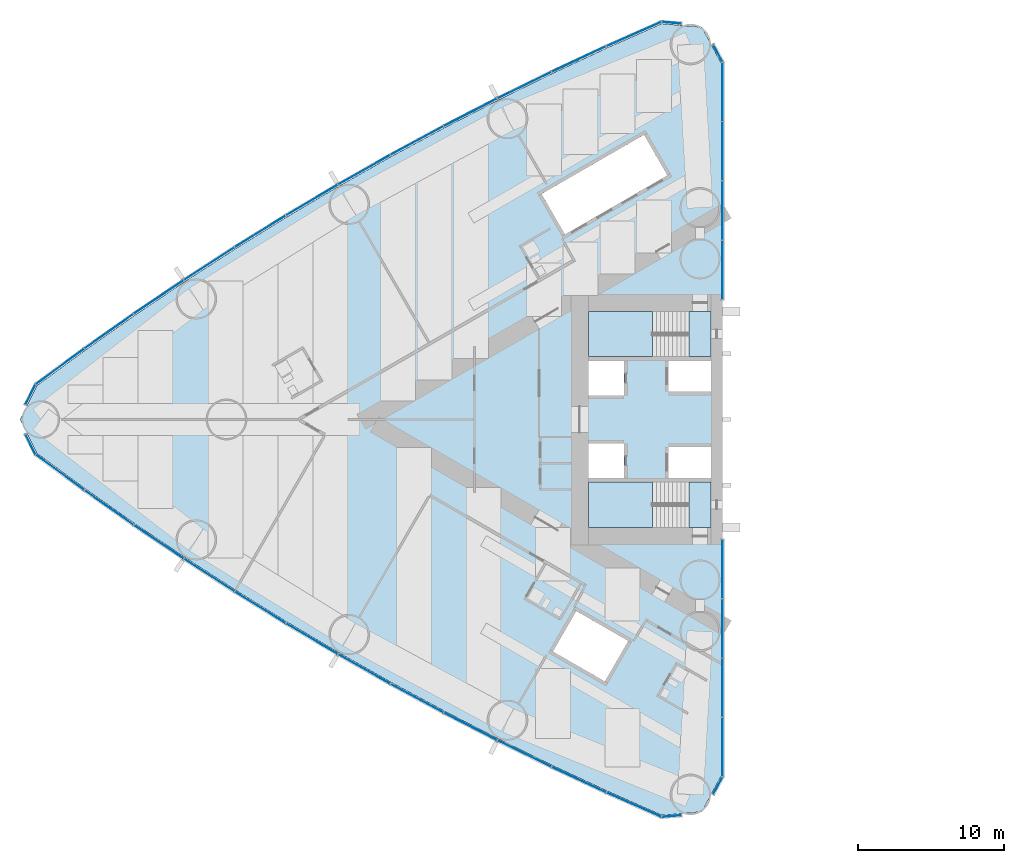
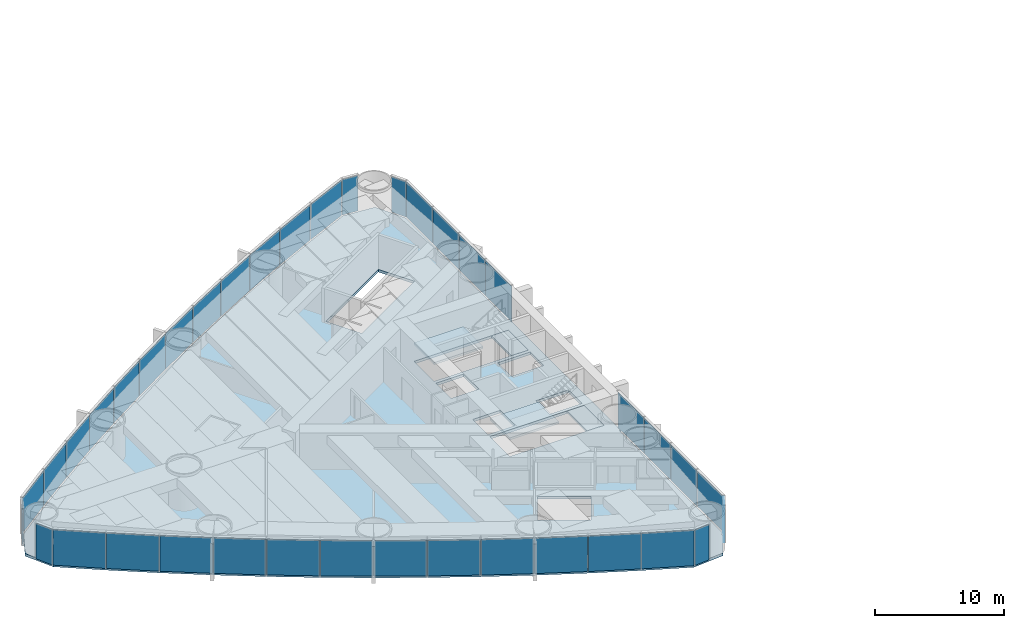
# One storey, part 9 of 18: 38 plates, 5 slabs, 6 elements without a shape of their own.
"""IFC4 building model written with IfcOpenShell, lengths in metres."""

import ifcopenshell
import ifcopenshell.guid

model = None  # the IFC model being written
_history = None  # IfcOwnerHistory: only IFC2X3 demands one
_inside = {}  # id of a spatial element -> (the spatial element, [elements in it])
_under = {}  # id of a project, library or spatial element -> (it, [spatial elements below it])
_declared = {}  # id of a project -> (the project, [libraries it declares])
_typed = {}  # id of a type object -> (the type object, [elements of that type])
_made_of = {}  # id of a material, layer set ... -> (it, [elements and type objects made of it])


def new_model(schema):
    """Start an empty IFC model of exactly this schema.

    Asked for "IFC4X3", IfcOpenShell would pick the latest addendum, in which some entities
    have other attributes; the version numbers below select the first issue.
    IFC2X3 requires an IfcOwnerHistory on every rooted entity: one is made here for all.
    """
    global model, _history
    if schema == "IFC4X3":
        model = ifcopenshell.file(schema_version=(4, 3, 0, 0))
    else:
        model = ifcopenshell.file(schema=schema)
    _inside.clear()
    _under.clear()
    _declared.clear()
    _typed.clear()
    _made_of.clear()
    _history = None
    if model.schema == "IFC2X3":
        org = make("IfcOrganization", Name="unknown")
        user = make(
            "IfcPersonAndOrganization",
            ThePerson=make("IfcPerson", FamilyName="unknown"),
            TheOrganization=org,
        )
        app = make(
            "IfcApplication",
            ApplicationDeveloper=org,
            Version="unknown",
            ApplicationFullName="unknown",
            ApplicationIdentifier="unknown",
        )
        _history = make(
            "IfcOwnerHistory",
            OwningUser=user,
            OwningApplication=app,
            ChangeAction="ADDED",
            CreationDate=0,
        )
    return model


def make(cls, **values):
    """One entity of the class cls with the attributes given. An attribute that is None is left unset."""
    return model.create_entity(
        cls, **{name: value for name, value in values.items() if value is not None}
    )


def rooted(cls, **values):
    """An entity with a GlobalId (a new one), such as an element, a storey or a relation."""
    return make(cls, GlobalId=ifcopenshell.guid.new(), OwnerHistory=_history, **values)


def si_unit(unit_type, name, prefix=None):
    """IfcSIUnit, for example si_unit("LENGTHUNIT", "METRE", prefix="MILLI")."""
    return make("IfcSIUnit", UnitType=unit_type, Prefix=prefix, Name=name)


def assignment(units):
    """IfcUnitAssignment: the units of a project."""
    return None if units is None else make("IfcUnitAssignment", Units=units)


def point(xyz):
    """IfcCartesianPoint."""
    return None if xyz is None else make("IfcCartesianPoint", Coordinates=xyz)


def direction(xyz):
    """IfcDirection."""
    return None if xyz is None else make("IfcDirection", DirectionRatios=xyz)


def frame(location, z_axis=None, x_axis=None):
    """IfcAxis2Placement3D, a coordinate frame: its origin and axes. An axis left out is left unset."""
    return make(
        "IfcAxis2Placement3D",
        Location=point(location),
        Axis=direction(z_axis),
        RefDirection=direction(x_axis),
    )


def frame_2d(location, x_axis=None):
    """IfcAxis2Placement2D, a coordinate frame in the plane: its origin and x axis."""
    return make(
        "IfcAxis2Placement2D", Location=point(location), RefDirection=direction(x_axis)
    )


def origin():
    """The frame at (0, 0, 0) with its axes left unset."""
    return frame((0.0, 0.0, 0.0))


def origin_2d():
    """The frame at (0, 0) in the plane with its x axis left unset."""
    return frame_2d((0.0, 0.0))


def place(relative_to, where):
    """IfcLocalPlacement: puts the frame where relative to a parent placement (None: the world)."""
    return make(
        "IfcLocalPlacement", PlacementRelTo=relative_to, RelativePlacement=where
    )


def context(
    kind, dimensions, precision=None, world=None, true_north=None, identifier=None
):
    """IfcGeometricRepresentationContext, for example the 3D "Model" context."""
    return make(
        "IfcGeometricRepresentationContext",
        ContextIdentifier=identifier,
        ContextType=kind,
        CoordinateSpaceDimension=dimensions,
        Precision=precision,
        WorldCoordinateSystem=world,
        TrueNorth=true_north,
    )


def subcontext(parent, identifier, kind, view, scale=None):
    """IfcGeometricRepresentationSubContext, for example "Body" below "Model"."""
    return make(
        "IfcGeometricRepresentationSubContext",
        ContextIdentifier=identifier,
        ContextType=kind,
        ParentContext=parent,
        TargetScale=scale,
        TargetView=view,
    )


def project(units=None, contexts=None):
    """IfcProject with its units and contexts."""
    return rooted(
        "IfcProject",
        Name="project",
        RepresentationContexts=contexts,
        UnitsInContext=assignment(units),
    )


def spatial(cls, under=None, at=None, **own):
    """A site, building, storey or space (cls), placed at a placement, below another one or the project."""
    s = rooted(cls, ObjectPlacement=at, **own)
    if under is not None:
        _under.setdefault(under.id(), (under, []))[1].append(s)
    return s


def polyline(points):
    """IfcPolyline through the points."""
    return make("IfcPolyline", Points=[point(p) for p in points])


def profile(cls, at=None, kind="AREA", **sizes):
    """A parametric profile (cls). Its sizes go by their IFC names, for example OverallWidth=200.0."""
    return make(cls, ProfileType=kind, Position=at, **sizes)


def rectangle(**sizes):
    """IfcRectangleProfileDef."""
    return profile("IfcRectangleProfileDef", **sizes)


def outline(outer, holes=None, kind="AREA"):
    """IfcArbitraryClosedProfileDef: a profile drawn as a closed curve; with holes, ...WithVoids."""
    if holes is None:
        return make("IfcArbitraryClosedProfileDef", ProfileType=kind, OuterCurve=outer)
    return make(
        "IfcArbitraryProfileDefWithVoids",
        ProfileType=kind,
        OuterCurve=outer,
        InnerCurves=holes,
    )


def extrude(swept, where, along, depth):
    """IfcExtrudedAreaSolid: the profile swept, set in the frame where, extruded along a direction by depth."""
    return make(
        "IfcExtrudedAreaSolid",
        SweptArea=swept,
        Position=where,
        ExtrudedDirection=direction(along),
        Depth=depth,
    )


def shape(context_of_items, identifier, shape_type, items):
    """IfcShapeRepresentation: the items that make up one representation, for example the "Body"."""
    return make(
        "IfcShapeRepresentation",
        ContextOfItems=context_of_items,
        RepresentationIdentifier=identifier,
        RepresentationType=shape_type,
        Items=items,
    )


def material(Name=None, Category=None):
    """IfcMaterial."""
    return make("IfcMaterial", Name=Name, Category=Category)


def layer(
    of_material, thickness, ventilated=None, Name=None, Category=None, Priority=None
):
    """IfcMaterialLayer: one layer of a wall or slab, of a material (None: an air gap)."""
    return make(
        "IfcMaterialLayer",
        Material=of_material,
        LayerThickness=thickness,
        IsVentilated=ventilated,
        Name=Name,
        Category=Category,
        Priority=Priority,
    )


def layer_set(layers, Name=None):
    """IfcMaterialLayerSet."""
    return make("IfcMaterialLayerSet", MaterialLayers=layers, LayerSetName=Name)


def made_of(thing, what):
    """Note that an element or type object is made of a material, layer set ...; save() writes the relation."""
    if what is not None:
        _made_of.setdefault(what.id(), (what, []))[1].append(thing)
    return thing


def type_object(cls, material=None, **own):
    """A type object (cls), such as IfcWallType, which elements share."""
    return made_of(rooted(cls, **own), material)


def element(
    cls,
    number,
    at=None,
    inside=None,
    cuts=None,
    type_object=None,
    material=None,
    context=None,
    identifier="Body",
    shape_type=None,
    held_by="IfcProductDefinitionShape",
    body=None,
    shapes=None,
    **own,
):
    """One element of the class cls, such as IfcWall. Its Tag is "e" and its number.

    at: its placement. inside: the storey or other place that contains it. cuts: it is an
    opening in that element (IfcRelVoidsElement). A single representation is given by context,
    identifier, shape_type and body (its items); several are given by shapes. held_by: the class
    of the entity that holds the representations. save() writes the other relations.
    """
    e = rooted(cls, Tag="e%d" % number, ObjectPlacement=at, **own)
    if body is not None:
        shapes = [shape(context, identifier, shape_type, body)]
    if shapes is not None:
        e.Representation = make(held_by, Representations=shapes)
    if inside is not None:
        _inside.setdefault(inside.id(), (inside, []))[1].append(e)
    if cuts is not None:
        rooted(
            "IfcRelVoidsElement", RelatingBuildingElement=cuts, RelatedOpeningElement=e
        )
    if type_object is not None:
        _typed.setdefault(type_object.id(), (type_object, []))[1].append(e)
    return made_of(e, material)


def aggregate(whole, parts):
    """IfcRelAggregates: a whole, such as a stair, and the parts it consists of."""
    return rooted("IfcRelAggregates", RelatingObject=whole, RelatedObjects=parts)


def save(model, path):
    """Write the relations noted so far, then the file.

    IfcRelAggregates (storeys below a building ...), IfcRelContainedInSpatialStructure (elements
    in a storey), IfcRelDefinesByType, IfcRelAssociatesMaterial and IfcRelDeclares: one each for
    every whole, place, type object, material and project.
    """
    for whole, parts in _under.values():
        aggregate(whole, parts)
    for where, things in _inside.values():
        rooted(
            "IfcRelContainedInSpatialStructure",
            RelatedElements=things,
            RelatingStructure=where,
        )
    for kind, things in _typed.values():
        rooted("IfcRelDefinesByType", RelatedObjects=things, RelatingType=kind)
    for what, things in _made_of.values():
        rooted("IfcRelAssociatesMaterial", RelatedObjects=things, RelatingMaterial=what)
    for by, libraries in _declared.values():
        rooted("IfcRelDeclares", RelatingContext=by, RelatedDefinitions=libraries)
    model.write(path)


model = new_model("IFC4")

# Units and contexts
model_context = context("Model", 3, precision=1e-05, world=origin(), true_north=direction((0.0, 1.0)))
body_context = subcontext(model_context, "Body", "Model", "MODEL_VIEW")
ifc_project = project(units=[si_unit("LENGTHUNIT", "METRE"), si_unit("AREAUNIT", "SQUARE_METRE"), si_unit("VOLUMEUNIT", "CUBIC_METRE"), si_unit("PLANEANGLEUNIT", "RADIAN"), si_unit("MASSUNIT", "GRAM", prefix="KILO")], contexts=[model_context])

# Site, building, storey
site_placement = place(None, origin())
site = spatial("IfcSite", under=ifc_project, at=site_placement, CompositionType="ELEMENT")
building_placement = place(site_placement, origin())
building = spatial("IfcBuilding", under=site, at=building_placement, Name="Lancet Gate Hotel", CompositionType="ELEMENT")
storey_placement = place(building_placement, frame((0.0, 0.0, 49.5)))
storey = spatial("IfcBuildingStorey", under=building, at=storey_placement, Name="L12", CompositionType="ELEMENT", Elevation=49.5)

# Slab
ifc_material_1 = material(Name="Concrete C50/60", Category="concrete")
ifc_layer_1 = layer(ifc_material_1, 0.25)
ifc_layer_set_1 = layer_set([ifc_layer_1], Name="Floor slab 250")
slab_type_1 = type_object("IfcSlabType", Name="Floor slab 250", PredefinedType="FLOOR", material=ifc_layer_set_1)
slab_1_placement = place(storey_placement, frame((0.0, 0.0, -0.25)))
element("IfcSlab", 1, at=slab_1_placement, inside=storey, type_object=slab_type_1, Name="T1 L12 floor slab", PredefinedType="FLOOR", context=body_context, shape_type="SweptSolid", body=[
    extrude(outline(polyline([(-27.5, 8.60009765625), (-27.6201171875, 8.60009765625), (-27.6201171875, 24.4609375), (-28.926513671875, 26.8837890625), (-31.668212890625, 27.12353515625), (-35.424072265625, 25.458740234375), (-39.173583984375, 23.70849609375), (-42.887939453125, 21.884765625), (-46.56591796875, 19.98876953125), (-50.2060546875, 18.02099609375), (-53.806884765625, 15.982421875), (-57.366943359375, 13.87353515625), (-60.88525390625, 11.695068359375), (-64.360107421875, 9.448486328125), (-67.7900390625, 7.134033203125), (-71.17431640625, 4.752685546875), (-74.488525390625, 2.322021484375), (-75.65087890625, 0.0), (-74.488525390625, -2.322021484375), (-71.17431640625, -4.752685546875), (-67.7900390625, -7.134033203125), (-64.360107421875, -9.448486328125), (-60.88525390625, -11.695068359375), (-57.366943359375, -13.87353515625), (-53.806884765625, -15.982421875), (-50.2060546875, -18.02099609375), (-46.56591796875, -19.98876953125), (-42.887939453125, -21.884765625), (-39.173583984375, -23.70849609375), (-35.424072265625, -25.458740234375), (-31.668212890625, -27.12353515625), (-28.926513671875, -26.8837890625), (-27.6201171875, -24.4609375), (-27.6201171875, -8.60009765625), (-27.5, -8.60009765625), (-27.5, -8.199951171875), (-27.5, 8.199951171875), (-27.5, 8.60009765625)]), holes=[polyline([(-36.699951171875, 7.39990234375), (-36.699951171875, 4.300048828125), (-28.300048828125, 4.300048828125), (-28.300048828125, 7.39990234375), (-36.699951171875, 7.39990234375)]), polyline([(-28.300048828125, 4.0), (-31.199951171875, 4.0), (-31.199951171875, 1.89990234375), (-28.300048828125, 1.89990234375), (-28.300048828125, 4.0)]), polyline([(-34.25, 4.0), (-36.699951171875, 4.0), (-36.699951171875, 1.64990234375), (-34.25, 1.64990234375), (-34.25, 4.0)]), polyline([(-36.699951171875, -1.64990234375), (-36.699951171875, -4.0), (-34.25, -4.0), (-34.25, -1.64990234375), (-36.699951171875, -1.64990234375)]), polyline([(-28.300048828125, -1.89990234375), (-31.199951171875, -1.89990234375), (-31.199951171875, -4.0), (-28.300048828125, -4.0), (-28.300048828125, -1.89990234375)]), polyline([(-28.300048828125, -4.300048828125), (-36.699951171875, -4.300048828125), (-36.699951171875, -7.39990234375), (-28.300048828125, -7.39990234375), (-28.300048828125, -4.300048828125)]), polyline([(-31.2900390625, 16.73095703125), (-32.889892578125, 19.501953125), (-39.904052734375, 15.451904296875), (-38.303955078125, 12.680908203125), (-31.2900390625, 16.73095703125)]), polyline([(-33.97412109375, -15.180908203125), (-37.52490234375, -13.131103515625), (-39.125, -15.902099609375), (-35.573974609375, -17.951904296875), (-33.97412109375, -15.180908203125)])]), origin(), (0.0, 0.0, 1.0), 0.25),
])

# Stair, slabs
ifc_material_2 = material(Name="Exit stair 20 risers 1500")
stair_type = type_object("IfcStairType", Name="Exit stair 20 risers 1500", PredefinedType="HALF_TURN_STAIR", material=ifc_material_2)
stair_1_placement = place(storey_placement, origin())
stair_1 = element("IfcStair", 2, at=stair_1_placement, inside=storey, type_object=stair_type, Name="T1 stair 1 L12", PredefinedType="HALF_TURN_STAIR")
ifc_material_3 = material(Name="Concrete C40/50", Category="concrete")
ifc_layer_2 = layer(ifc_material_3, 0.199951171875)
ifc_layer_set_2 = layer_set([ifc_layer_2], Name="Stair landing 200")
slab_type_2 = type_object("IfcSlabType", Name="Stair landing 200", PredefinedType="LANDING", material=ifc_layer_set_2)
slab_2_placement = place(storey_placement, frame((0.0, 0.0, -0.199951171875)))
slab_2 = element("IfcSlab", 3, at=slab_2_placement, type_object=slab_type_2, Name="ST1 landing 1", PredefinedType="LANDING", context=body_context, shape_type="SweptSolid", body=[
    extrude(outline(polyline([(-28.300048828125, 7.39990234375), (-29.800048828125, 7.39990234375), (-29.800048828125, 4.300048828125), (-28.300048828125, 4.300048828125), (-28.300048828125, 7.39990234375)])), origin(), (0.0, 0.0, 1.0), 0.199951171875),
])
slab_3_placement = place(storey_placement, frame((0.0, 0.0, 1.550048828125)))
slab_3 = element("IfcSlab", 4, at=slab_3_placement, type_object=slab_type_2, Name="ST1 landing 2", PredefinedType="LANDING", context=body_context, shape_type="SweptSolid", body=[
    extrude(outline(polyline([(-32.320068359375, 7.39990234375), (-36.699951171875, 7.39990234375), (-36.699951171875, 4.300048828125), (-32.320068359375, 4.300048828125), (-32.320068359375, 7.39990234375)])), origin(), (0.0, 0.0, 1.0), 0.199951171875),
])
aggregate(stair_1, [slab_2, slab_3])

stair_2_placement = place(storey_placement, origin())
stair_2 = element("IfcStair", 5, at=stair_2_placement, inside=storey, type_object=stair_type, Name="T1 stair 2 L12", PredefinedType="HALF_TURN_STAIR")
slab_4_placement = place(storey_placement, frame((0.0, 0.0, -0.199951171875)))
slab_4 = element("IfcSlab", 6, at=slab_4_placement, type_object=slab_type_2, Name="ST2 landing 1", PredefinedType="LANDING", context=body_context, shape_type="SweptSolid", body=[
    extrude(outline(polyline([(-28.300048828125, -4.300048828125), (-29.800048828125, -4.300048828125), (-29.800048828125, -7.39990234375), (-28.300048828125, -7.39990234375), (-28.300048828125, -4.300048828125)])), origin(), (0.0, 0.0, 1.0), 0.199951171875),
])
slab_5_placement = place(storey_placement, frame((0.0, 0.0, 1.550048828125)))
slab_5 = element("IfcSlab", 7, at=slab_5_placement, type_object=slab_type_2, Name="ST2 landing 2", PredefinedType="LANDING", context=body_context, shape_type="SweptSolid", body=[
    extrude(outline(polyline([(-32.320068359375, -4.300048828125), (-36.699951171875, -4.300048828125), (-36.699951171875, -7.39990234375), (-32.320068359375, -7.39990234375), (-32.320068359375, -4.300048828125)])), origin(), (0.0, 0.0, 1.0), 0.199951171875),
])
aggregate(stair_2, [slab_4, slab_5])

# Curtain wall, plates
ifc_material_4 = material(Name="Aluminium curtain wall", Category="aluminium")
curtain_wall_type = type_object("IfcCurtainWallType", Name="Tower unitised curtain wall", PredefinedType="USERDEFINED", material=ifc_material_4)
curtain_wall_1_placement = place(storey_placement, origin())
curtain_wall_1 = element("IfcCurtainWall", 8, at=curtain_wall_1_placement, inside=storey, type_object=curtain_wall_type, Name="T1 L12 curtain wall 1", ObjectType="UNITISED CURTAIN WALL", PredefinedType="USERDEFINED")
ifc_material_5 = material(Name="Glass double glazed unit 8-16-6", Category="glass")
ifc_layer_3 = layer(ifc_material_5, 0.030029296875)
ifc_layer_set_3 = layer_set([ifc_layer_3], Name="Vision panel double glazed")
plate_type = type_object("IfcPlateType", Name="Vision panel double glazed", PredefinedType="CURTAIN_PANEL", material=ifc_layer_set_3)
plate_1_placement = place(storey_placement, frame((-27.5, 10.236328125, 0.0), z_axis=(0.0, 0.0, 1.0), x_axis=(0.0, 1.0, 0.0)))
plate_1 = element("IfcPlate", 9, at=plate_1_placement, type_object=plate_type, Name="T1 L12 curtain wall 1 panel 1", PredefinedType="CURTAIN_PANEL", context=body_context, shape_type="SweptSolid", body=[
    extrude(rectangle(XDim=4.0078125, YDim=0.030029296875, at=origin_2d()), origin(), (0.0, 0.0, 1.0), 3.35009765625),
])
plate_2_placement = place(storey_placement, frame((-27.5, 14.30908203125, 0.0), z_axis=(0.0, 0.0, 1.0), x_axis=(0.0, 1.0, 0.0)))
plate_2 = element("IfcPlate", 10, at=plate_2_placement, type_object=plate_type, Name="T1 L12 curtain wall 1 panel 2", PredefinedType="CURTAIN_PANEL", context=body_context, shape_type="SweptSolid", body=[
    extrude(rectangle(XDim=4.0078125, YDim=0.030029296875, at=origin_2d()), origin(), (0.0, 0.0, 1.0), 3.35009765625),
])
plate_3_placement = place(storey_placement, frame((-27.5, 18.382080078125, 0.0), z_axis=(0.0, 0.0, 1.0), x_axis=(0.0, 1.0, 0.0)))
plate_3 = element("IfcPlate", 11, at=plate_3_placement, type_object=plate_type, Name="T1 L12 curtain wall 1 panel 3", PredefinedType="CURTAIN_PANEL", context=body_context, shape_type="SweptSolid", body=[
    extrude(rectangle(XDim=4.0078125, YDim=0.030029296875, at=origin_2d()), origin(), (0.0, 0.0, 1.0), 3.35009765625),
])
plate_4_placement = place(storey_placement, frame((-27.5, 22.454833984375, 0.0), z_axis=(0.0, 0.0, 1.0), x_axis=(0.0, 1.0, 0.0)))
plate_4 = element("IfcPlate", 12, at=plate_4_placement, type_object=plate_type, Name="T1 L12 curtain wall 1 panel 4", PredefinedType="CURTAIN_PANEL", context=body_context, shape_type="SweptSolid", body=[
    extrude(rectangle(XDim=4.0078125, YDim=0.030029296875, at=origin_2d()), origin(), (0.0, 0.0, 1.0), 3.35009765625),
])
plate_5_placement = place(storey_placement, frame((-27.829345703125, 25.10205078125, 0.0), z_axis=(0.0, 0.0, 1.0), x_axis=(-0.474631040972, 0.880184852714, 0.0)))
plate_5 = element("IfcPlate", 13, at=plate_5_placement, type_object=plate_type, Name="T1 L12 curtain wall 1 panel 5", PredefinedType="CURTAIN_PANEL", context=body_context, shape_type="SweptSolid", body=[
    extrude(rectangle(XDim=1.322998046875, YDim=0.030029296875, at=origin_2d()), origin(), (0.0, 0.0, 1.0), 3.35009765625),
])
aggregate(curtain_wall_1, [plate_1, plate_2, plate_3, plate_4, plate_5])

curtain_wall_2_placement = place(storey_placement, origin())
curtain_wall_2 = element("IfcCurtainWall", 14, at=curtain_wall_2_placement, inside=storey, type_object=curtain_wall_type, Name="T1 L12 curtain wall 2", ObjectType="UNITISED CURTAIN WALL", PredefinedType="USERDEFINED")
plate_6_placement = place(storey_placement, frame((-30.99658203125, 27.185302734375, 0.0), z_axis=(0.0, 0.0, 1.0), x_axis=(-0.99620380374, 0.087051602022, 0.0)))
plate_6 = element("IfcPlate", 15, at=plate_6_placement, type_object=plate_type, Name="T1 L12 curtain wall 2 panel 1", PredefinedType="CURTAIN_PANEL", context=body_context, shape_type="SweptSolid", body=[
    extrude(rectangle(XDim=1.32421875, YDim=0.030029296875, at=origin_2d()), origin(), (0.0, 0.0, 1.0), 3.35009765625),
])
plate_7_placement = place(storey_placement, frame((-33.581298828125, 26.406982421875, 0.0), z_axis=(0.0, 0.0, 1.0), x_axis=(-0.914234183208, -0.405186201954, 0.0)))
plate_7 = element("IfcPlate", 16, at=plate_7_placement, type_object=plate_type, Name="T1 L12 curtain wall 2 panel 2", PredefinedType="CURTAIN_PANEL", context=body_context, shape_type="SweptSolid", body=[
    extrude(rectangle(XDim=4.0751953125, YDim=0.030029296875, at=origin_2d()), origin(), (0.0, 0.0, 1.0), 3.35009765625),
])
plate_8_placement = place(storey_placement, frame((-37.349609375, 24.6923828125, 0.0), z_axis=(0.0, 0.0, 1.0), x_axis=(-0.906117767284, -0.423025521467, 0.0)))
plate_8 = element("IfcPlate", 17, at=plate_8_placement, type_object=plate_type, Name="T1 L12 curtain wall 2 panel 3", PredefinedType="CURTAIN_PANEL", context=body_context, shape_type="SweptSolid", body=[
    extrude(rectangle(XDim=4.0751953125, YDim=0.030029296875, at=origin_2d()), origin(), (0.0, 0.0, 1.0), 3.35009765625),
])
plate_9_placement = place(storey_placement, frame((-41.083740234375, 22.904296875, 0.0), z_axis=(0.0, 0.0, 1.0), x_axis=(-0.897653295642, -0.440702349463, 0.0)))
plate_9 = element("IfcPlate", 18, at=plate_9_placement, type_object=plate_type, Name="T1 L12 curtain wall 2 panel 4", PredefinedType="CURTAIN_PANEL", context=body_context, shape_type="SweptSolid", body=[
    extrude(rectangle(XDim=4.0751953125, YDim=0.030029296875, at=origin_2d()), origin(), (0.0, 0.0, 1.0), 3.35009765625),
])
plate_10_placement = place(storey_placement, frame((-44.781982421875, 21.04345703125, 0.0), z_axis=(0.0, 0.0, 1.0), x_axis=(-0.888844019644, -0.458209895946, 0.0)))
plate_10 = element("IfcPlate", 19, at=plate_10_placement, type_object=plate_type, Name="T1 L12 curtain wall 2 panel 5", PredefinedType="CURTAIN_PANEL", context=body_context, shape_type="SweptSolid", body=[
    extrude(rectangle(XDim=4.0751953125, YDim=0.030029296875, at=origin_2d()), origin(), (0.0, 0.0, 1.0), 3.35009765625),
])
plate_11_placement = place(storey_placement, frame((-48.443115234375, 19.110595703125, 0.0), z_axis=(0.0, 0.0, 1.0), x_axis=(-0.87969332307, -0.475541435993, 0.0)))
plate_11 = element("IfcPlate", 20, at=plate_11_placement, type_object=plate_type, Name="T1 L12 curtain wall 2 panel 6", PredefinedType="CURTAIN_PANEL", context=body_context, shape_type="SweptSolid", body=[
    extrude(rectangle(XDim=4.0751953125, YDim=0.030029296875, at=origin_2d()), origin(), (0.0, 0.0, 1.0), 3.35009765625),
])
plate_12_placement = place(storey_placement, frame((-52.065673828125, 17.106201171875, 0.0), z_axis=(0.0, 0.0, 1.0), x_axis=(-0.870204720871, -0.492690312238, 0.0)))
plate_12 = element("IfcPlate", 21, at=plate_12_placement, type_object=plate_type, Name="T1 L12 curtain wall 2 panel 7", PredefinedType="CURTAIN_PANEL", context=body_context, shape_type="SweptSolid", body=[
    extrude(rectangle(XDim=4.0751953125, YDim=0.030029296875, at=origin_2d()), origin(), (0.0, 0.0, 1.0), 3.35009765625),
])
plate_13_placement = place(storey_placement, frame((-55.648193359375, 15.031005859375, 0.0), z_axis=(0.0, 0.0, 1.0), x_axis=(-0.860381857795, -0.509649937484, 0.0)))
plate_13 = element("IfcPlate", 22, at=plate_13_placement, type_object=plate_type, Name="T1 L12 curtain wall 2 panel 8", PredefinedType="CURTAIN_PANEL", context=body_context, shape_type="SweptSolid", body=[
    extrude(rectangle(XDim=4.0751953125, YDim=0.030029296875, at=origin_2d()), origin(), (0.0, 0.0, 1.0), 3.35009765625),
])
plate_14_placement = place(storey_placement, frame((-59.189208984375, 12.88623046875, 0.0), z_axis=(0.0, 0.0, 1.0), x_axis=(-0.850228506958, -0.52641379727, 0.0)))
plate_14 = element("IfcPlate", 23, at=plate_14_placement, type_object=plate_type, Name="T1 L12 curtain wall 2 panel 9", PredefinedType="CURTAIN_PANEL", context=body_context, shape_type="SweptSolid", body=[
    extrude(rectangle(XDim=4.0751953125, YDim=0.030029296875, at=origin_2d()), origin(), (0.0, 0.0, 1.0), 3.35009765625),
])
plate_15_placement = place(storey_placement, frame((-62.687744140625, 10.672607421875, 0.0), z_axis=(0.0, 0.0, 1.0), x_axis=(-0.839748568448, -0.54297545229, 0.0)))
plate_15 = element("IfcPlate", 24, at=plate_15_placement, type_object=plate_type, Name="T1 L12 curtain wall 2 panel 10", PredefinedType="CURTAIN_PANEL", context=body_context, shape_type="SweptSolid", body=[
    extrude(rectangle(XDim=4.0751953125, YDim=0.030029296875, at=origin_2d()), origin(), (0.0, 0.0, 1.0), 3.35009765625),
])
plate_16_placement = place(storey_placement, frame((-66.142333984375, 8.390625, 0.0), z_axis=(0.0, 0.0, 1.0), x_axis=(-0.828946067803, -0.559328540907, 0.0)))
plate_16 = element("IfcPlate", 25, at=plate_16_placement, type_object=plate_type, Name="T1 L12 curtain wall 2 panel 11", PredefinedType="CURTAIN_PANEL", context=body_context, shape_type="SweptSolid", body=[
    extrude(rectangle(XDim=4.0751953125, YDim=0.030029296875, at=origin_2d()), origin(), (0.0, 0.0, 1.0), 3.35009765625),
])
plate_17_placement = place(storey_placement, frame((-69.55126953125, 6.04150390625, 0.0), z_axis=(0.0, 0.0, 1.0), x_axis=(-0.817825154435, -0.575466781642, 0.0)))
plate_17 = element("IfcPlate", 26, at=plate_17_placement, type_object=plate_type, Name="T1 L12 curtain wall 2 panel 12", PredefinedType="CURTAIN_PANEL", context=body_context, shape_type="SweptSolid", body=[
    extrude(rectangle(XDim=4.0751953125, YDim=0.030029296875, at=origin_2d()), origin(), (0.0, 0.0, 1.0), 3.35009765625),
])
plate_18_placement = place(storey_placement, frame((-72.91357421875, 3.6259765625, 0.0), z_axis=(0.0, 0.0, 1.0), x_axis=(-0.80639010009, -0.591383975499, 0.0)))
plate_18 = element("IfcPlate", 27, at=plate_18_placement, type_object=plate_type, Name="T1 L12 curtain wall 2 panel 13", PredefinedType="CURTAIN_PANEL", context=body_context, shape_type="SweptSolid", body=[
    extrude(rectangle(XDim=4.0751953125, YDim=0.030029296875, at=origin_2d()), origin(), (0.0, 0.0, 1.0), 3.35009765625),
])
plate_19_placement = place(storey_placement, frame((-74.93505859375, 1.6982421875, 0.0), z_axis=(0.0, 0.0, 1.0), x_axis=(-0.447628324726, -0.89421970617, 0.0)))
plate_19 = element("IfcPlate", 28, at=plate_19_placement, type_object=plate_type, Name="T1 L12 curtain wall 2 panel 14", PredefinedType="CURTAIN_PANEL", context=body_context, shape_type="SweptSolid", body=[
    extrude(rectangle(XDim=1.50830078125, YDim=0.030029296875, at=origin_2d()), origin(), (0.0, 0.0, 1.0), 3.35009765625),
])
aggregate(curtain_wall_2, [plate_6, plate_7, plate_8, plate_9, plate_10, plate_11, plate_12, plate_13, plate_14, plate_15, plate_16, plate_17, plate_18, plate_19])

curtain_wall_3_placement = place(storey_placement, origin())
curtain_wall_3 = element("IfcCurtainWall", 29, at=curtain_wall_3_placement, inside=storey, type_object=curtain_wall_type, Name="T1 L12 curtain wall 3", ObjectType="UNITISED CURTAIN WALL", PredefinedType="USERDEFINED")
plate_20_placement = place(storey_placement, frame((-74.93505859375, -1.6982421875, 0.0), z_axis=(0.0, 0.0, 1.0), x_axis=(0.447628324726, -0.89421970617, 0.0)))
plate_20 = element("IfcPlate", 30, at=plate_20_placement, type_object=plate_type, Name="T1 L12 curtain wall 3 panel 1", PredefinedType="CURTAIN_PANEL", context=body_context, shape_type="SweptSolid", body=[
    extrude(rectangle(XDim=1.50830078125, YDim=0.030029296875, at=origin_2d()), origin(), (0.0, 0.0, 1.0), 3.35009765625),
])
plate_21_placement = place(storey_placement, frame((-72.91357421875, -3.6259765625, 0.0), z_axis=(0.0, 0.0, 1.0), x_axis=(0.80639010009, -0.591383975499, 0.0)))
plate_21 = element("IfcPlate", 31, at=plate_21_placement, type_object=plate_type, Name="T1 L12 curtain wall 3 panel 2", PredefinedType="CURTAIN_PANEL", context=body_context, shape_type="SweptSolid", body=[
    extrude(rectangle(XDim=4.0751953125, YDim=0.030029296875, at=origin_2d()), origin(), (0.0, 0.0, 1.0), 3.35009765625),
])
plate_22_placement = place(storey_placement, frame((-69.55126953125, -6.04150390625, 0.0), z_axis=(0.0, 0.0, 1.0), x_axis=(0.817825154435, -0.575466781642, 0.0)))
plate_22 = element("IfcPlate", 32, at=plate_22_placement, type_object=plate_type, Name="T1 L12 curtain wall 3 panel 3", PredefinedType="CURTAIN_PANEL", context=body_context, shape_type="SweptSolid", body=[
    extrude(rectangle(XDim=4.0751953125, YDim=0.030029296875, at=origin_2d()), origin(), (0.0, 0.0, 1.0), 3.35009765625),
])
plate_23_placement = place(storey_placement, frame((-66.142333984375, -8.390625, 0.0), z_axis=(0.0, 0.0, 1.0), x_axis=(0.828946067803, -0.559328540907, 0.0)))
plate_23 = element("IfcPlate", 33, at=plate_23_placement, type_object=plate_type, Name="T1 L12 curtain wall 3 panel 4", PredefinedType="CURTAIN_PANEL", context=body_context, shape_type="SweptSolid", body=[
    extrude(rectangle(XDim=4.0751953125, YDim=0.030029296875, at=origin_2d()), origin(), (0.0, 0.0, 1.0), 3.35009765625),
])
plate_24_placement = place(storey_placement, frame((-62.687744140625, -10.672607421875, 0.0), z_axis=(0.0, 0.0, 1.0), x_axis=(0.839748568448, -0.54297545229, 0.0)))
plate_24 = element("IfcPlate", 34, at=plate_24_placement, type_object=plate_type, Name="T1 L12 curtain wall 3 panel 5", PredefinedType="CURTAIN_PANEL", context=body_context, shape_type="SweptSolid", body=[
    extrude(rectangle(XDim=4.0751953125, YDim=0.030029296875, at=origin_2d()), origin(), (0.0, 0.0, 1.0), 3.35009765625),
])
plate_25_placement = place(storey_placement, frame((-59.189208984375, -12.88623046875, 0.0), z_axis=(0.0, 0.0, 1.0), x_axis=(0.850228506958, -0.52641379727, 0.0)))
plate_25 = element("IfcPlate", 35, at=plate_25_placement, type_object=plate_type, Name="T1 L12 curtain wall 3 panel 6", PredefinedType="CURTAIN_PANEL", context=body_context, shape_type="SweptSolid", body=[
    extrude(rectangle(XDim=4.0751953125, YDim=0.030029296875, at=origin_2d()), origin(), (0.0, 0.0, 1.0), 3.35009765625),
])
plate_26_placement = place(storey_placement, frame((-55.648193359375, -15.031005859375, 0.0), z_axis=(0.0, 0.0, 1.0), x_axis=(0.860381857795, -0.509649937484, 0.0)))
plate_26 = element("IfcPlate", 36, at=plate_26_placement, type_object=plate_type, Name="T1 L12 curtain wall 3 panel 7", PredefinedType="CURTAIN_PANEL", context=body_context, shape_type="SweptSolid", body=[
    extrude(rectangle(XDim=4.0751953125, YDim=0.030029296875, at=origin_2d()), origin(), (0.0, 0.0, 1.0), 3.35009765625),
])
plate_27_placement = place(storey_placement, frame((-52.065673828125, -17.106201171875, 0.0), z_axis=(0.0, 0.0, 1.0), x_axis=(0.870204720871, -0.492690312238, 0.0)))
plate_27 = element("IfcPlate", 37, at=plate_27_placement, type_object=plate_type, Name="T1 L12 curtain wall 3 panel 8", PredefinedType="CURTAIN_PANEL", context=body_context, shape_type="SweptSolid", body=[
    extrude(rectangle(XDim=4.0751953125, YDim=0.030029296875, at=origin_2d()), origin(), (0.0, 0.0, 1.0), 3.35009765625),
])
plate_28_placement = place(storey_placement, frame((-48.443115234375, -19.110595703125, 0.0), z_axis=(0.0, 0.0, 1.0), x_axis=(0.87969332307, -0.475541435993, 0.0)))
plate_28 = element("IfcPlate", 38, at=plate_28_placement, type_object=plate_type, Name="T1 L12 curtain wall 3 panel 9", PredefinedType="CURTAIN_PANEL", context=body_context, shape_type="SweptSolid", body=[
    extrude(rectangle(XDim=4.0751953125, YDim=0.030029296875, at=origin_2d()), origin(), (0.0, 0.0, 1.0), 3.35009765625),
])
plate_29_placement = place(storey_placement, frame((-44.781982421875, -21.04345703125, 0.0), z_axis=(0.0, 0.0, 1.0), x_axis=(0.888844019644, -0.458209895946, 0.0)))
plate_29 = element("IfcPlate", 39, at=plate_29_placement, type_object=plate_type, Name="T1 L12 curtain wall 3 panel 10", PredefinedType="CURTAIN_PANEL", context=body_context, shape_type="SweptSolid", body=[
    extrude(rectangle(XDim=4.0751953125, YDim=0.030029296875, at=origin_2d()), origin(), (0.0, 0.0, 1.0), 3.35009765625),
])
plate_30_placement = place(storey_placement, frame((-41.083740234375, -22.904296875, 0.0), z_axis=(0.0, 0.0, 1.0), x_axis=(0.897653295642, -0.440702349463, 0.0)))
plate_30 = element("IfcPlate", 40, at=plate_30_placement, type_object=plate_type, Name="T1 L12 curtain wall 3 panel 11", PredefinedType="CURTAIN_PANEL", context=body_context, shape_type="SweptSolid", body=[
    extrude(rectangle(XDim=4.0751953125, YDim=0.030029296875, at=origin_2d()), origin(), (0.0, 0.0, 1.0), 3.35009765625),
])
plate_31_placement = place(storey_placement, frame((-37.349609375, -24.6923828125, 0.0), z_axis=(0.0, 0.0, 1.0), x_axis=(0.906117767284, -0.423025521467, 0.0)))
plate_31 = element("IfcPlate", 41, at=plate_31_placement, type_object=plate_type, Name="T1 L12 curtain wall 3 panel 12", PredefinedType="CURTAIN_PANEL", context=body_context, shape_type="SweptSolid", body=[
    extrude(rectangle(XDim=4.0751953125, YDim=0.030029296875, at=origin_2d()), origin(), (0.0, 0.0, 1.0), 3.35009765625),
])
plate_32_placement = place(storey_placement, frame((-33.581298828125, -26.406982421875, 0.0), z_axis=(0.0, 0.0, 1.0), x_axis=(0.914234183208, -0.405186201954, 0.0)))
plate_32 = element("IfcPlate", 42, at=plate_32_placement, type_object=plate_type, Name="T1 L12 curtain wall 3 panel 13", PredefinedType="CURTAIN_PANEL", context=body_context, shape_type="SweptSolid", body=[
    extrude(rectangle(XDim=4.0751953125, YDim=0.030029296875, at=origin_2d()), origin(), (0.0, 0.0, 1.0), 3.35009765625),
])
plate_33_placement = place(storey_placement, frame((-30.99658203125, -27.185302734375, 0.0), z_axis=(0.0, 0.0, 1.0), x_axis=(0.99620380374, 0.087051602022, 0.0)))
plate_33 = element("IfcPlate", 43, at=plate_33_placement, type_object=plate_type, Name="T1 L12 curtain wall 3 panel 14", PredefinedType="CURTAIN_PANEL", context=body_context, shape_type="SweptSolid", body=[
    extrude(rectangle(XDim=1.32421875, YDim=0.030029296875, at=origin_2d()), origin(), (0.0, 0.0, 1.0), 3.35009765625),
])
aggregate(curtain_wall_3, [plate_20, plate_21, plate_22, plate_23, plate_24, plate_25, plate_26, plate_27, plate_28, plate_29, plate_30, plate_31, plate_32, plate_33])

curtain_wall_4_placement = place(storey_placement, origin())
curtain_wall_4 = element("IfcCurtainWall", 44, at=curtain_wall_4_placement, inside=storey, type_object=curtain_wall_type, Name="T1 L12 curtain wall 4", ObjectType="UNITISED CURTAIN WALL", PredefinedType="USERDEFINED")
plate_34_placement = place(storey_placement, frame((-27.829345703125, -25.10205078125, 0.0), z_axis=(0.0, 0.0, 1.0), x_axis=(0.474631040972, 0.880184852714, 0.0)))
plate_34 = element("IfcPlate", 45, at=plate_34_placement, type_object=plate_type, Name="T1 L12 curtain wall 4 panel 1", PredefinedType="CURTAIN_PANEL", context=body_context, shape_type="SweptSolid", body=[
    extrude(rectangle(XDim=1.322998046875, YDim=0.030029296875, at=origin_2d()), origin(), (0.0, 0.0, 1.0), 3.35009765625),
])
plate_35_placement = place(storey_placement, frame((-27.5, -22.454833984375, 0.0), z_axis=(0.0, 0.0, 1.0), x_axis=(0.0, 1.0, 0.0)))
plate_35 = element("IfcPlate", 46, at=plate_35_placement, type_object=plate_type, Name="T1 L12 curtain wall 4 panel 2", PredefinedType="CURTAIN_PANEL", context=body_context, shape_type="SweptSolid", body=[
    extrude(rectangle(XDim=4.0078125, YDim=0.030029296875, at=origin_2d()), origin(), (0.0, 0.0, 1.0), 3.35009765625),
])
plate_36_placement = place(storey_placement, frame((-27.5, -18.382080078125, 0.0), z_axis=(0.0, 0.0, 1.0), x_axis=(0.0, 1.0, 0.0)))
plate_36 = element("IfcPlate", 47, at=plate_36_placement, type_object=plate_type, Name="T1 L12 curtain wall 4 panel 3", PredefinedType="CURTAIN_PANEL", context=body_context, shape_type="SweptSolid", body=[
    extrude(rectangle(XDim=4.0078125, YDim=0.030029296875, at=origin_2d()), origin(), (0.0, 0.0, 1.0), 3.35009765625),
])
plate_37_placement = place(storey_placement, frame((-27.5, -14.30908203125, 0.0), z_axis=(0.0, 0.0, 1.0), x_axis=(0.0, 1.0, 0.0)))
plate_37 = element("IfcPlate", 48, at=plate_37_placement, type_object=plate_type, Name="T1 L12 curtain wall 4 panel 4", PredefinedType="CURTAIN_PANEL", context=body_context, shape_type="SweptSolid", body=[
    extrude(rectangle(XDim=4.0078125, YDim=0.030029296875, at=origin_2d()), origin(), (0.0, 0.0, 1.0), 3.35009765625),
])
plate_38_placement = place(storey_placement, frame((-27.5, -10.236328125, 0.0), z_axis=(0.0, 0.0, 1.0), x_axis=(0.0, 1.0, 0.0)))
plate_38 = element("IfcPlate", 49, at=plate_38_placement, type_object=plate_type, Name="T1 L12 curtain wall 4 panel 5", PredefinedType="CURTAIN_PANEL", context=body_context, shape_type="SweptSolid", body=[
    extrude(rectangle(XDim=4.0078125, YDim=0.030029296875, at=origin_2d()), origin(), (0.0, 0.0, 1.0), 3.35009765625),
])
aggregate(curtain_wall_4, [plate_34, plate_35, plate_36, plate_37, plate_38])

save(model, "model.ifc")
